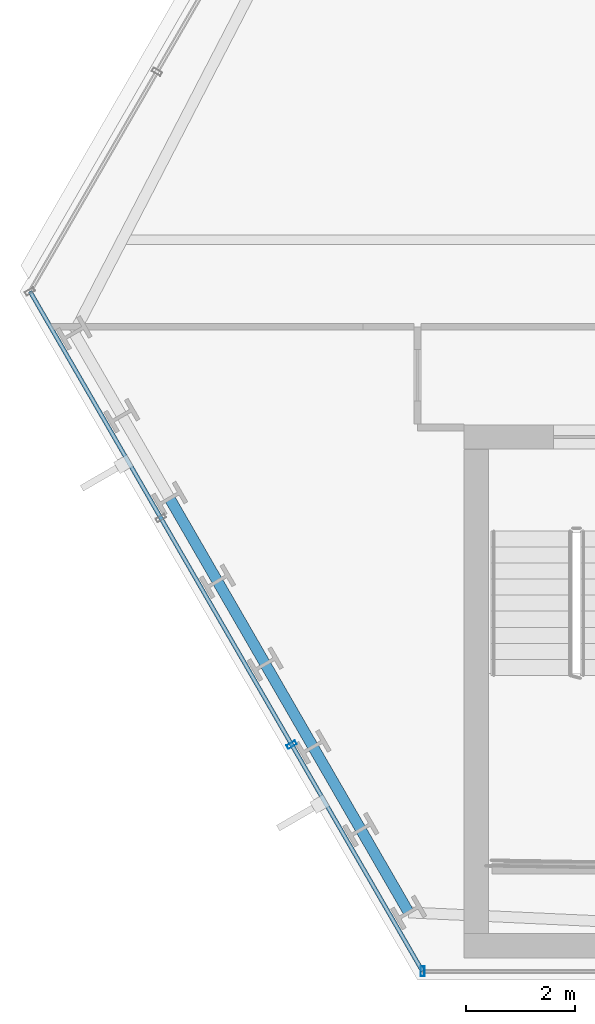
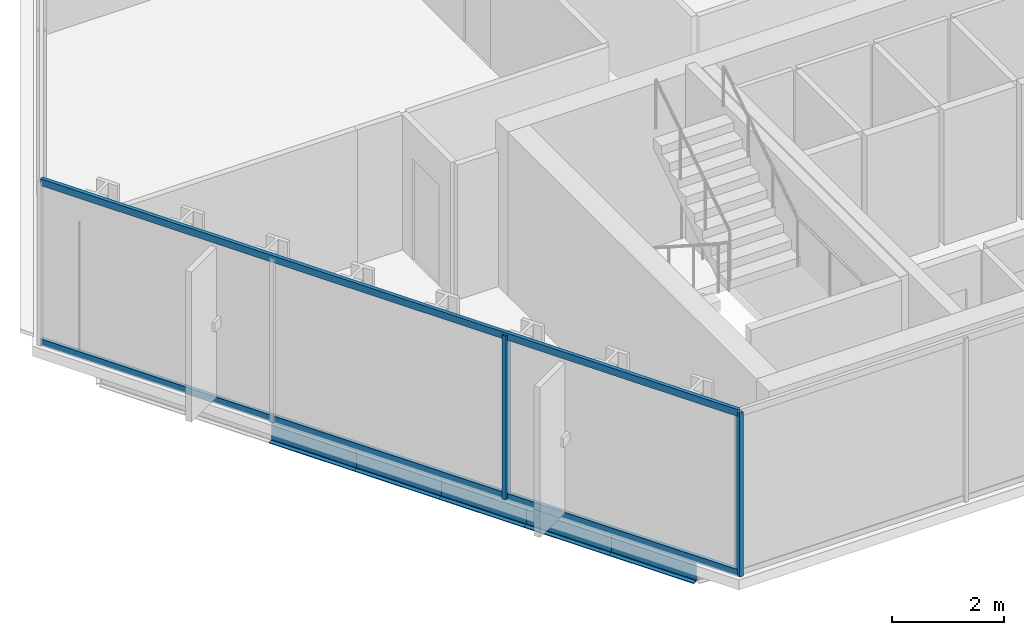
# One storey, part 2 of 33: 5 beams, 4 members, 2 elements without a shape of their own.
"""IFC4 building model written with IfcOpenShell, lengths in metres."""

from ifc_helpers import new_model, si_unit, direction, frame, origin, origin_2d, place, context, subcontext, project, spatial, hollow_rectangle, i_section, extrude, material, layer, layer_set, material_profile, profile_set, type_object, element, aggregate, save


model = new_model("IFC4")

# Units and contexts
model_context = context("Model", 3, precision=1e-05, world=origin(), true_north=direction((0.0, 1.0)))
body_context = subcontext(model_context, "Body", "Model", "MODEL_VIEW")
ifc_project = project(units=[si_unit("LENGTHUNIT", "METRE"), si_unit("AREAUNIT", "SQUARE_METRE"), si_unit("VOLUMEUNIT", "CUBIC_METRE"), si_unit("PLANEANGLEUNIT", "RADIAN"), si_unit("MASSUNIT", "GRAM", prefix="KILO")], contexts=[model_context])

# Site, building, storey
site_placement = place(None, origin())
site = spatial("IfcSite", under=ifc_project, at=site_placement, CompositionType="ELEMENT")
building_placement = place(site_placement, origin())
building = spatial("IfcBuilding", under=site, at=building_placement, Name="Ndaravel Arena Tower", CompositionType="ELEMENT")
storey_placement = place(building_placement, frame((0.0, 0.0, 81.60009765625)))
storey = spatial("IfcBuildingStorey", under=building, at=storey_placement, Name="L18", CompositionType="ELEMENT", Elevation=81.60009765625)

# Beams
ifc_material_1 = material(Name="Steel S355", Category="steel")
ifc_material_profile_1 = material_profile(ifc_material_1, i_section(OverallWidth=0.199951171875, OverallDepth=0.5, WebThickness=0.01025390625, FlangeThickness=0.01611328125, FilletRadius=0.02099609375, at=origin_2d()), Name="IPE 500")
ifc_profile_set_1 = profile_set([ifc_material_profile_1], Name="Steel S355")
beam_type = type_object("IfcBeamType", Name="BM-SPAN-IPE500", PredefinedType="SPANDREL", material=ifc_profile_set_1)
beam_1_placement = place(storey_placement, frame((21.0458984375, 13.845458984375, -0.47021484375), z_axis=(0.500115484592, -0.865958718457, 0.0), x_axis=(0.865958718457, 0.500115484592, 0.0)))
element("IfcBeam", 1, at=beam_1_placement, inside=storey, type_object=beam_type, Name="L18 Perimeter Spandrel Beam SP-22", PredefinedType="SPANDREL", context=body_context, shape_type="SweptSolid", body=[
    extrude(i_section(OverallWidth=0.199951171875, OverallDepth=0.5, WebThickness=0.01025390625, FlangeThickness=0.01611328125, FilletRadius=0.02099609375, at=origin_2d()), origin(), (0.0, 0.0, 1.0), 1.75634765625),
])
beam_2_placement = place(storey_placement, frame((21.92431640625, 12.324462890625, -0.47021484375), z_axis=(0.49990697594, -0.86607910459, 0.0), x_axis=(0.86607910459, 0.49990697594, 0.0)))
element("IfcBeam", 2, at=beam_2_placement, inside=storey, type_object=beam_type, Name="L18 Perimeter Spandrel Beam SP-23", PredefinedType="SPANDREL", context=body_context, shape_type="SweptSolid", body=[
    extrude(i_section(OverallWidth=0.199951171875, OverallDepth=0.5, WebThickness=0.01025390625, FlangeThickness=0.01611328125, FilletRadius=0.02099609375, at=origin_2d()), origin(), (0.0, 0.0, 1.0), 1.756103515625),
])
for number, where, z_axis, x_axis, name in (
    (3, (22.80224609375, 10.803466796875, -0.47021484375), (0.500011241135, -0.866018913615, 0.0), (0.866018913615, 0.500011241135, 0.0), "L18 Perimeter Spandrel Beam SP-24"),
    (4, (23.680419921875, 9.282470703125, -0.47021484375), (0.500011241135, -0.866018913615, 0.0), (0.866018913615, 0.500011241135, 0.0), "L18 Perimeter Spandrel Beam SP-25"),
    (5, (24.55859375, 7.761474609375, -0.47021484375), (0.500011241135, -0.866018913615, 0.0), (0.866018913615, 0.500011241135, 0.0), "L18 Perimeter Spandrel Beam SP-26"),
):
    element("IfcBeam", number, at=place(storey_placement, frame(where, z_axis=z_axis, x_axis=x_axis)), inside=storey, type_object=beam_type, Name=name, PredefinedType="SPANDREL", context=body_context, shape_type="SweptSolid", body=[
        extrude(i_section(OverallWidth=0.199951171875, OverallDepth=0.5, WebThickness=0.01025390625, FlangeThickness=0.01611328125, FilletRadius=0.02099609375, at=origin_2d()), origin(), (0.0, 0.0, 1.0), 1.75634765625),
    ])

# Curtain wall, member
ifc_material_2 = material(Name="Aluminium", Category="aluminium")
ifc_layer_1 = layer(ifc_material_2, 0.179931640625)
ifc_layer_set_1 = layer_set([ifc_layer_1], Name="Aluminium")
curtain_wall_type_1 = type_object("IfcCurtainWallType", Name="CW-SYS-03", PredefinedType="NOTDEFINED", material=ifc_layer_set_1)
curtain_wall_1_placement = place(storey_placement, origin())
curtain_wall_1 = element("IfcCurtainWall", 6, at=curtain_wall_1_placement, inside=storey, type_object=curtain_wall_type_1, Name="L18 Faceted Crystal Curtain Wall CW-L18-E01", PredefinedType="NOTDEFINED")
ifc_material_3 = material(Name="Aluminium", Category="aluminium")
ifc_material_profile_2 = material_profile(ifc_material_3, hollow_rectangle(XDim=0.074951171875, YDim=0.179931640625, WallThickness=0.00390625, at=origin_2d()), Name="CW MULLION 75x180x4")
ifc_profile_set_2 = profile_set([ifc_material_profile_2], Name="Aluminium")
member_type_1 = type_object("IfcMemberType", Name="MEM-CW-MUL180", PredefinedType="MULLION", material=ifc_profile_set_2)
member_1_placement = place(storey_placement, frame((25.691162109375, 5.159912109375, 0.0), z_axis=(0.0, 0.0, 1.0), x_axis=(1.0, 0.0, 0.0)))
member_1 = element("IfcMember", 7, at=member_1_placement, type_object=member_type_1, Name="CW-L18-E01 Mullion 00", PredefinedType="MULLION", context=body_context, shape_type="SweptSolid", body=[
    extrude(hollow_rectangle(XDim=0.074951171875, YDim=0.179931640625, WallThickness=0.00390625, at=origin_2d()), origin(), (0.0, 0.0, 1.0), 3.579833984375),
])
aggregate(curtain_wall_1, [member_1])

# Curtain wall, members
ifc_material_4 = material(Name="Aluminium", Category="aluminium")
ifc_layer_2 = layer(ifc_material_4, 0.179931640625)
ifc_layer_set_2 = layer_set([ifc_layer_2], Name="Aluminium")
curtain_wall_type_2 = type_object("IfcCurtainWallType", Name="CW-SYS-02", PredefinedType="NOTDEFINED", material=ifc_layer_set_2)
curtain_wall_2_placement = place(storey_placement, origin())
curtain_wall_2 = element("IfcCurtainWall", 8, at=curtain_wall_2_placement, inside=storey, type_object=curtain_wall_type_2, Name="L18 Faceted Crystal Curtain Wall CW-L18-E06", PredefinedType="NOTDEFINED")
member_2_placement = place(storey_placement, frame((23.287841796875, 9.322509765625, 0.0), z_axis=(0.0, 0.0, 1.0), x_axis=(0.5, -0.866025403784, 0.0)))
member_2 = element("IfcMember", 9, at=member_2_placement, type_object=member_type_1, Name="CW-L18-E06 Mullion 02", PredefinedType="MULLION", context=body_context, shape_type="SweptSolid", body=[
    extrude(hollow_rectangle(XDim=0.074951171875, YDim=0.179931640625, WallThickness=0.00390625, at=origin_2d()), origin(), (0.0, 0.0, 1.0), 3.579833984375),
])
ifc_material_5 = material(Name="Aluminium", Category="aluminium")
ifc_material_profile_3 = material_profile(ifc_material_5, hollow_rectangle(XDim=0.074951171875, YDim=0.14990234375, WallThickness=0.00390625, at=origin_2d()), Name="CW TRANSOM 75x150x4")
ifc_profile_set_3 = profile_set([ifc_material_profile_3], Name="Aluminium")
member_type_2 = type_object("IfcMemberType", Name="MEM-CW-TRN150", PredefinedType="USERDEFINED", material=ifc_profile_set_3)
member_3_placement = place(storey_placement, frame((18.481201171875, 17.64794921875, 0.039794921875), z_axis=(0.499999446118, -0.866025723568, 0.0), x_axis=(0.866025723568, 0.499999446118, 0.0)))
member_3 = element("IfcMember", 10, at=member_3_placement, type_object=member_type_2, Name="CW-L18-E06 Transom 01", ObjectType="TRANSOM", PredefinedType="USERDEFINED", context=body_context, shape_type="SweptSolid", body=[
    extrude(hollow_rectangle(XDim=0.074951171875, YDim=0.14990234375, WallThickness=0.00390625, at=origin_2d()), origin(), (0.0, 0.0, 1.0), 14.419921875),
])
member_4_placement = place(storey_placement, frame((18.481201171875, 17.64794921875, 3.539794921875), z_axis=(0.499999446118, -0.866025723568, 0.0), x_axis=(0.866025723568, 0.499999446118, 0.0)))
member_4 = element("IfcMember", 11, at=member_4_placement, type_object=member_type_2, Name="CW-L18-E06 Transom 02", ObjectType="TRANSOM", PredefinedType="USERDEFINED", context=body_context, shape_type="SweptSolid", body=[
    extrude(hollow_rectangle(XDim=0.074951171875, YDim=0.14990234375, WallThickness=0.00390625, at=origin_2d()), origin(), (0.0, 0.0, 1.0), 14.419921875),
])
aggregate(curtain_wall_2, [member_2, member_3, member_4])

save(model, "model.ifc")
